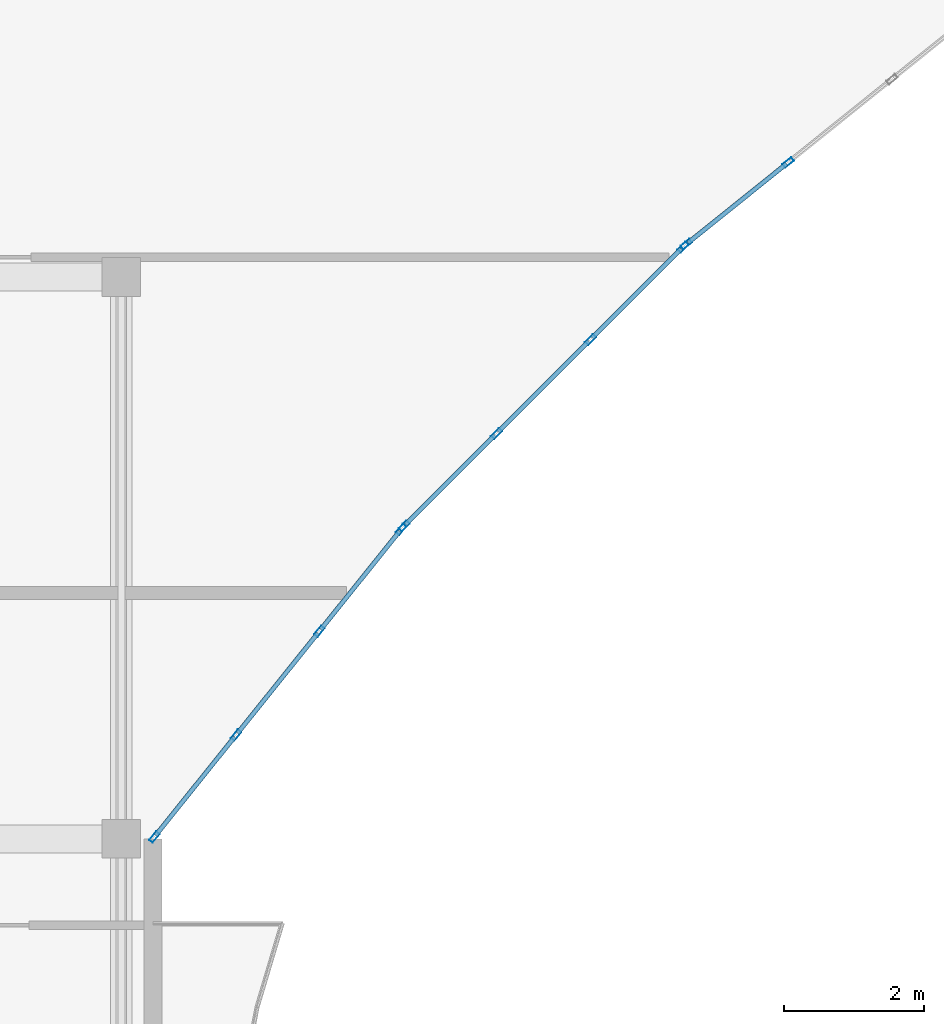
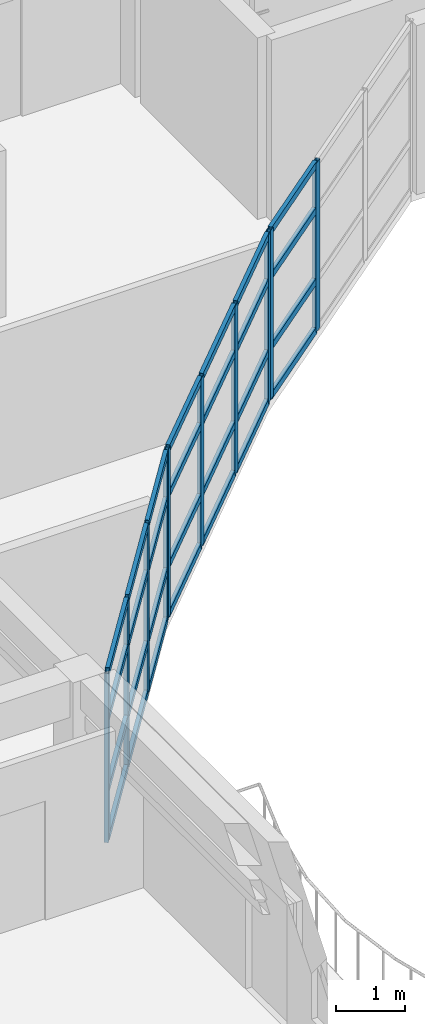
# One storey, part 13 of 54: 38 members, 3 elements without a shape of their own.
"""IFC4 building model written with IfcOpenShell, lengths in metres."""

from ifc_helpers import new_model, si_unit, direction, frame, origin, origin_2d, place, context, subcontext, project, spatial, hollow_rectangle, extrude, material, layer, layer_set, material_profile, profile_set, type_object, element, aggregate, save


model = new_model("IFC4")

# Units and contexts
model_context = context("Model", 3, precision=1e-05, world=origin(), true_north=direction((0.0, 1.0)))
body_context = subcontext(model_context, "Body", "Model", "MODEL_VIEW")
ifc_project = project(units=[si_unit("LENGTHUNIT", "METRE"), si_unit("AREAUNIT", "SQUARE_METRE"), si_unit("VOLUMEUNIT", "CUBIC_METRE"), si_unit("PLANEANGLEUNIT", "RADIAN"), si_unit("MASSUNIT", "GRAM", prefix="KILO")], contexts=[model_context])

# Site, building, storey
site_placement = place(None, origin())
site = spatial("IfcSite", under=ifc_project, at=site_placement, CompositionType="ELEMENT")
building_placement = place(site_placement, origin())
building = spatial("IfcBuilding", under=site, at=building_placement, Name="Keldmere Railside Commons", CompositionType="ELEMENT")
storey_placement = place(building_placement, frame((0.0, 0.0, 26.56005859375)))
storey = spatial("IfcBuildingStorey", under=building, at=storey_placement, Name="L08", CompositionType="ELEMENT", Elevation=26.56005859375)

# Curtain wall, members
ifc_material = material(Name="Thermally Broken Aluminium", Category="aluminium")
ifc_layer_1 = layer(ifc_material, 0.159912109375, Name="Court Chord Wintergarden CW 4800x2850")
ifc_layer_set_1 = layer_set([ifc_layer_1], Name="Thermally Broken Aluminium")
curtain_wall_type_1 = type_object("IfcCurtainWallType", Name="Court Chord Wintergarden CW 4800x2850", PredefinedType="NOTDEFINED", material=ifc_layer_set_1)
curtain_wall_1_placement = place(storey_placement, origin())
curtain_wall_1 = element("IfcCurtainWall", 1, at=curtain_wall_1_placement, inside=storey, type_object=curtain_wall_type_1, Name="CW-12 CW-L08-133", PredefinedType="NOTDEFINED")
ifc_material_profile_1 = material_profile(ifc_material, hollow_rectangle(XDim=0.06494140625, YDim=0.159912109375, WallThickness=0.00390625, at=origin_2d()), Name="ALU-MULL-65x160")
ifc_profile_set_1 = profile_set([ifc_material_profile_1], Name="Thermally Broken Aluminium")
member_type_1 = type_object("IfcMemberType", Name="Unitised Curtain Wall Mullion 65x160", PredefinedType="MULLION", material=ifc_profile_set_1)
member_1_placement = place(storey_placement, frame((123.53369140625, 92.404541015625, 0.0), z_axis=(0.0, 0.0, 1.0), x_axis=(0.780009172323, -0.625768080915, 0.0)))
member_1 = element("IfcMember", 2, at=member_1_placement, type_object=member_type_1, Name="CW-12 mullion 1", PredefinedType="MULLION", context=body_context, shape_type="SweptSolid", body=[
    extrude(hollow_rectangle(XDim=0.06494140625, YDim=0.159912109375, WallThickness=0.00390625, at=origin_2d()), origin(), (0.0, 0.0, 1.0), 2.97998046875),
])
member_2_placement = place(storey_placement, frame((122.369384765625, 90.953369140625, 0.0), z_axis=(0.0, 0.0, 1.0), x_axis=(0.780009172323, -0.625768080915, 0.0)))
member_2 = element("IfcMember", 3, at=member_2_placement, type_object=member_type_1, Name="CW-12 mullion 2", PredefinedType="MULLION", context=body_context, shape_type="SweptSolid", body=[
    extrude(hollow_rectangle(XDim=0.06494140625, YDim=0.159912109375, WallThickness=0.00390625, at=origin_2d()), origin(), (0.0, 0.0, 1.0), 2.97998046875),
])
member_3_placement = place(storey_placement, frame((121.1845703125, 89.4765625, 0.0), z_axis=(0.0, 0.0, 1.0), x_axis=(0.780009172323, -0.625768080915, 0.0)))
member_3 = element("IfcMember", 4, at=member_3_placement, type_object=member_type_1, Name="CW-12 mullion 3", PredefinedType="MULLION", context=body_context, shape_type="SweptSolid", body=[
    extrude(hollow_rectangle(XDim=0.06494140625, YDim=0.159912109375, WallThickness=0.00390625, at=origin_2d()), origin(), (0.0, 0.0, 1.0), 2.97998046875),
])
member_4_placement = place(storey_placement, frame((120.020263671875, 88.025390625, 0.0), z_axis=(0.0, 0.0, 1.0), x_axis=(0.780009172323, -0.625768080915, 0.0)))
member_4 = element("IfcMember", 5, at=member_4_placement, type_object=member_type_1, Name="CW-12 mullion 4", PredefinedType="MULLION", context=body_context, shape_type="SweptSolid", body=[
    extrude(hollow_rectangle(XDim=0.06494140625, YDim=0.159912109375, WallThickness=0.00390625, at=origin_2d()), origin(), (0.0, 0.0, 1.0), 2.97998046875),
])

ifc_layer_2 = layer(ifc_material, 0.159912109375, Name="Court Chord Wintergarden CW 5400x2850")
ifc_layer_set_2 = layer_set([ifc_layer_2], Name="Thermally Broken Aluminium")
curtain_wall_type_2 = type_object("IfcCurtainWallType", Name="Court Chord Wintergarden CW 5400x2850", PredefinedType="NOTDEFINED", material=ifc_layer_set_2)
curtain_wall_2_placement = place(storey_placement, origin())
curtain_wall_2 = element("IfcCurtainWall", 6, at=curtain_wall_2_placement, inside=storey, type_object=curtain_wall_type_2, Name="CW-13 CW-L08-134", PredefinedType="NOTDEFINED")
member_5_placement = place(storey_placement, frame((127.547119140625, 96.423095703125, 0.0), z_axis=(0.0, 0.0, 1.0), x_axis=(0.707106781187, -0.707106781187, 0.0)))
member_5 = element("IfcMember", 7, at=member_5_placement, type_object=member_type_1, Name="CW-13 mullion 1", PredefinedType="MULLION", context=body_context, shape_type="SweptSolid", body=[
    extrude(hollow_rectangle(XDim=0.06494140625, YDim=0.159912109375, WallThickness=0.00390625, at=origin_2d()), origin(), (0.0, 0.0, 1.0), 2.97998046875),
])
member_6_placement = place(storey_placement, frame((126.2314453125, 95.107421875, 0.0), z_axis=(0.0, 0.0, 1.0), x_axis=(0.707106781187, -0.707106781187, 0.0)))
member_6 = element("IfcMember", 8, at=member_6_placement, type_object=member_type_1, Name="CW-13 mullion 2", PredefinedType="MULLION", context=body_context, shape_type="SweptSolid", body=[
    extrude(hollow_rectangle(XDim=0.06494140625, YDim=0.159912109375, WallThickness=0.00390625, at=origin_2d()), origin(), (0.0, 0.0, 1.0), 2.97998046875),
])
member_7_placement = place(storey_placement, frame((124.892578125, 93.7685546875, 0.0), z_axis=(0.0, 0.0, 1.0), x_axis=(0.707106781187, -0.707106781187, 0.0)))
member_7 = element("IfcMember", 9, at=member_7_placement, type_object=member_type_1, Name="CW-13 mullion 3", PredefinedType="MULLION", context=body_context, shape_type="SweptSolid", body=[
    extrude(hollow_rectangle(XDim=0.06494140625, YDim=0.159912109375, WallThickness=0.00390625, at=origin_2d()), origin(), (0.0, 0.0, 1.0), 2.97998046875),
])
member_8_placement = place(storey_placement, frame((123.576904296875, 92.452880859375, 0.0), z_axis=(0.0, 0.0, 1.0), x_axis=(0.707106781187, -0.707106781187, 0.0)))
member_8 = element("IfcMember", 10, at=member_8_placement, type_object=member_type_1, Name="CW-13 mullion 4", PredefinedType="MULLION", context=body_context, shape_type="SweptSolid", body=[
    extrude(hollow_rectangle(XDim=0.06494140625, YDim=0.159912109375, WallThickness=0.00390625, at=origin_2d()), origin(), (0.0, 0.0, 1.0), 2.97998046875),
])

curtain_wall_3_placement = place(storey_placement, origin())
curtain_wall_3 = element("IfcCurtainWall", 11, at=curtain_wall_3_placement, inside=storey, type_object=curtain_wall_type_1, Name="CW-12 CW-L08-135", PredefinedType="NOTDEFINED")
member_9_placement = place(storey_placement, frame((129.046630859375, 97.630615234375, 0.0), z_axis=(0.0, 0.0, 1.0), x_axis=(0.625768080915, -0.780009172323, 0.0)))
member_9 = element("IfcMember", 12, at=member_9_placement, type_object=member_type_1, Name="CW-12 mullion 3", PredefinedType="MULLION", context=body_context, shape_type="SweptSolid", body=[
    extrude(hollow_rectangle(XDim=0.06494140625, YDim=0.159912109375, WallThickness=0.00390625, at=origin_2d()), origin(), (0.0, 0.0, 1.0), 2.97998046875),
])
member_10_placement = place(storey_placement, frame((127.595458984375, 96.46630859375, 0.0), z_axis=(0.0, 0.0, 1.0), x_axis=(0.625768080915, -0.780009172323, 0.0)))
member_10 = element("IfcMember", 13, at=member_10_placement, type_object=member_type_1, Name="CW-12 mullion 4", PredefinedType="MULLION", context=body_context, shape_type="SweptSolid", body=[
    extrude(hollow_rectangle(XDim=0.06494140625, YDim=0.159912109375, WallThickness=0.00390625, at=origin_2d()), origin(), (0.0, 0.0, 1.0), 2.97998046875),
])

# Member
ifc_material_profile_2 = material_profile(ifc_material, hollow_rectangle(XDim=0.06494140625, YDim=0.1201171875, WallThickness=0.00390625, at=origin_2d()), Name="ALU-TRAN-65x120")
ifc_profile_set_2 = profile_set([ifc_material_profile_2], Name="Thermally Broken Aluminium")
member_type_2 = type_object("IfcMemberType", Name="Unitised Curtain Wall Transom 65x120", PredefinedType="USERDEFINED", material=ifc_profile_set_2)
member_11_placement = place(storey_placement, frame((123.513427734375, 92.37939453125, 0.032470703125), z_axis=(-0.625805275091, -0.779979331565, 0.0), x_axis=(0.779979331565, -0.625805275091, 0.0)))
member_11 = element("IfcMember", 14, at=member_11_placement, type_object=member_type_2, Name="CW-12 transom 1.1", ObjectType="TRANSOM", PredefinedType="USERDEFINED", context=body_context, shape_type="SweptSolid", body=[
    extrude(hollow_rectangle(XDim=0.06494140625, YDim=0.1201171875, WallThickness=0.00390625, at=origin_2d()), origin(), (0.0, 0.0, 1.0), 1.795654296875),
])

member_12_placement = place(storey_placement, frame((123.513427734375, 92.37939453125, 0.89990234375), z_axis=(-0.625805275091, -0.779979331565, 0.0), x_axis=(0.779979331565, -0.625805275091, 0.0)))
member_12 = element("IfcMember", 15, at=member_12_placement, type_object=member_type_2, Name="CW-12 transom 1.2", ObjectType="TRANSOM", PredefinedType="USERDEFINED", context=body_context, shape_type="SweptSolid", body=[
    extrude(hollow_rectangle(XDim=0.06494140625, YDim=0.1201171875, WallThickness=0.00390625, at=origin_2d()), origin(), (0.0, 0.0, 1.0), 1.795654296875),
])

member_13_placement = place(storey_placement, frame((123.513427734375, 92.37939453125, 2.14990234375), z_axis=(-0.625805275091, -0.779979331565, 0.0), x_axis=(0.779979331565, -0.625805275091, 0.0)))
member_13 = element("IfcMember", 16, at=member_13_placement, type_object=member_type_2, Name="CW-12 transom 1.3", ObjectType="TRANSOM", PredefinedType="USERDEFINED", context=body_context, shape_type="SweptSolid", body=[
    extrude(hollow_rectangle(XDim=0.06494140625, YDim=0.1201171875, WallThickness=0.00390625, at=origin_2d()), origin(), (0.0, 0.0, 1.0), 1.795654296875),
])

member_14_placement = place(storey_placement, frame((123.513427734375, 92.37939453125, 2.947509765625), z_axis=(-0.625805275091, -0.779979331565, 0.0), x_axis=(0.779979331565, -0.625805275091, 0.0)))
member_14 = element("IfcMember", 17, at=member_14_placement, type_object=member_type_2, Name="CW-12 transom 1.4", ObjectType="TRANSOM", PredefinedType="USERDEFINED", context=body_context, shape_type="SweptSolid", body=[
    extrude(hollow_rectangle(XDim=0.06494140625, YDim=0.1201171875, WallThickness=0.00390625, at=origin_2d()), origin(), (0.0, 0.0, 1.0), 1.795654296875),
])

member_15_placement = place(storey_placement, frame((122.348876953125, 90.927978515625, 0.032470703125), z_axis=(-0.625688033635, -0.78007338409, 0.0), x_axis=(0.78007338409, -0.625688033635, 0.0)))
member_15 = element("IfcMember", 18, at=member_15_placement, type_object=member_type_2, Name="CW-12 transom 2.1", ObjectType="TRANSOM", PredefinedType="USERDEFINED", context=body_context, shape_type="SweptSolid", body=[
    extrude(hollow_rectangle(XDim=0.06494140625, YDim=0.1201171875, WallThickness=0.00390625, at=origin_2d()), origin(), (0.0, 0.0, 1.0), 1.828125),
])

member_16_placement = place(storey_placement, frame((122.348876953125, 90.927978515625, 0.89990234375), z_axis=(-0.625688033635, -0.78007338409, 0.0), x_axis=(0.78007338409, -0.625688033635, 0.0)))
member_16 = element("IfcMember", 19, at=member_16_placement, type_object=member_type_2, Name="CW-12 transom 2.2", ObjectType="TRANSOM", PredefinedType="USERDEFINED", context=body_context, shape_type="SweptSolid", body=[
    extrude(hollow_rectangle(XDim=0.06494140625, YDim=0.1201171875, WallThickness=0.00390625, at=origin_2d()), origin(), (0.0, 0.0, 1.0), 1.828125),
])

member_17_placement = place(storey_placement, frame((122.348876953125, 90.927978515625, 2.14990234375), z_axis=(-0.625688033635, -0.78007338409, 0.0), x_axis=(0.78007338409, -0.625688033635, 0.0)))
member_17 = element("IfcMember", 20, at=member_17_placement, type_object=member_type_2, Name="CW-12 transom 2.3", ObjectType="TRANSOM", PredefinedType="USERDEFINED", context=body_context, shape_type="SweptSolid", body=[
    extrude(hollow_rectangle(XDim=0.06494140625, YDim=0.1201171875, WallThickness=0.00390625, at=origin_2d()), origin(), (0.0, 0.0, 1.0), 1.828125),
])

member_18_placement = place(storey_placement, frame((122.348876953125, 90.927978515625, 2.947509765625), z_axis=(-0.625688033635, -0.78007338409, 0.0), x_axis=(0.78007338409, -0.625688033635, 0.0)))
member_18 = element("IfcMember", 21, at=member_18_placement, type_object=member_type_2, Name="CW-12 transom 2.4", ObjectType="TRANSOM", PredefinedType="USERDEFINED", context=body_context, shape_type="SweptSolid", body=[
    extrude(hollow_rectangle(XDim=0.06494140625, YDim=0.1201171875, WallThickness=0.00390625, at=origin_2d()), origin(), (0.0, 0.0, 1.0), 1.828125),
])

member_19_placement = place(storey_placement, frame((121.164306640625, 89.451416015625, 0.032470703125), z_axis=(-0.625722553313, -0.780045694992, 0.0), x_axis=(0.780045694992, -0.625722553313, 0.0)))
member_19 = element("IfcMember", 22, at=member_19_placement, type_object=member_type_2, Name="CW-12 transom 3.1", ObjectType="TRANSOM", PredefinedType="USERDEFINED", context=body_context, shape_type="SweptSolid", body=[
    extrude(hollow_rectangle(XDim=0.06494140625, YDim=0.1201171875, WallThickness=0.00390625, at=origin_2d()), origin(), (0.0, 0.0, 1.0), 1.795654296875),
])

member_20_placement = place(storey_placement, frame((121.164306640625, 89.451416015625, 0.89990234375), z_axis=(-0.625722553313, -0.780045694992, 0.0), x_axis=(0.780045694992, -0.625722553313, 0.0)))
member_20 = element("IfcMember", 23, at=member_20_placement, type_object=member_type_2, Name="CW-12 transom 3.2", ObjectType="TRANSOM", PredefinedType="USERDEFINED", context=body_context, shape_type="SweptSolid", body=[
    extrude(hollow_rectangle(XDim=0.06494140625, YDim=0.1201171875, WallThickness=0.00390625, at=origin_2d()), origin(), (0.0, 0.0, 1.0), 1.795654296875),
])

member_21_placement = place(storey_placement, frame((121.164306640625, 89.451416015625, 2.14990234375), z_axis=(-0.625722553313, -0.780045694992, 0.0), x_axis=(0.780045694992, -0.625722553313, 0.0)))
member_21 = element("IfcMember", 24, at=member_21_placement, type_object=member_type_2, Name="CW-12 transom 3.3", ObjectType="TRANSOM", PredefinedType="USERDEFINED", context=body_context, shape_type="SweptSolid", body=[
    extrude(hollow_rectangle(XDim=0.06494140625, YDim=0.1201171875, WallThickness=0.00390625, at=origin_2d()), origin(), (0.0, 0.0, 1.0), 1.795654296875),
])

member_22_placement = place(storey_placement, frame((121.164306640625, 89.451416015625, 2.947509765625), z_axis=(-0.625722553313, -0.780045694992, 0.0), x_axis=(0.780045694992, -0.625722553313, 0.0)))
member_22 = element("IfcMember", 25, at=member_22_placement, type_object=member_type_2, Name="CW-12 transom 3.4", ObjectType="TRANSOM", PredefinedType="USERDEFINED", context=body_context, shape_type="SweptSolid", body=[
    extrude(hollow_rectangle(XDim=0.06494140625, YDim=0.1201171875, WallThickness=0.00390625, at=origin_2d()), origin(), (0.0, 0.0, 1.0), 1.795654296875),
])

aggregate(curtain_wall_1, [member_1, member_2, member_3, member_4, member_11, member_12, member_13, member_14, member_15, member_16, member_17, member_18, member_19, member_20, member_21, member_22])

member_23_placement = place(storey_placement, frame((127.52392578125, 96.400146484375, 0.032470703125), z_axis=(-0.707038793419, -0.707174762418, 0.0), x_axis=(0.707174762418, -0.707038793419, 0.0)))
member_23 = element("IfcMember", 26, at=member_23_placement, type_object=member_type_2, Name="CW-13 transom 1.1", ObjectType="TRANSOM", PredefinedType="USERDEFINED", context=body_context, shape_type="SweptSolid", body=[
    extrude(hollow_rectangle(XDim=0.06494140625, YDim=0.1201171875, WallThickness=0.00390625, at=origin_2d()), origin(), (0.0, 0.0, 1.0), 1.795654296875),
])

member_24_placement = place(storey_placement, frame((127.52392578125, 96.400146484375, 0.89990234375), z_axis=(-0.707038793419, -0.707174762418, 0.0), x_axis=(0.707174762418, -0.707038793419, 0.0)))
member_24 = element("IfcMember", 27, at=member_24_placement, type_object=member_type_2, Name="CW-13 transom 1.2", ObjectType="TRANSOM", PredefinedType="USERDEFINED", context=body_context, shape_type="SweptSolid", body=[
    extrude(hollow_rectangle(XDim=0.06494140625, YDim=0.1201171875, WallThickness=0.00390625, at=origin_2d()), origin(), (0.0, 0.0, 1.0), 1.795654296875),
])

member_25_placement = place(storey_placement, frame((127.52392578125, 96.400146484375, 2.14990234375), z_axis=(-0.707038793419, -0.707174762418, 0.0), x_axis=(0.707174762418, -0.707038793419, 0.0)))
member_25 = element("IfcMember", 28, at=member_25_placement, type_object=member_type_2, Name="CW-13 transom 1.3", ObjectType="TRANSOM", PredefinedType="USERDEFINED", context=body_context, shape_type="SweptSolid", body=[
    extrude(hollow_rectangle(XDim=0.06494140625, YDim=0.1201171875, WallThickness=0.00390625, at=origin_2d()), origin(), (0.0, 0.0, 1.0), 1.795654296875),
])

member_26_placement = place(storey_placement, frame((127.52392578125, 96.400146484375, 2.947509765625), z_axis=(-0.707038793419, -0.707174762418, 0.0), x_axis=(0.707174762418, -0.707038793419, 0.0)))
member_26 = element("IfcMember", 29, at=member_26_placement, type_object=member_type_2, Name="CW-13 transom 1.4", ObjectType="TRANSOM", PredefinedType="USERDEFINED", context=body_context, shape_type="SweptSolid", body=[
    extrude(hollow_rectangle(XDim=0.06494140625, YDim=0.1201171875, WallThickness=0.00390625, at=origin_2d()), origin(), (0.0, 0.0, 1.0), 1.795654296875),
])

member_27_placement = place(storey_placement, frame((126.208251953125, 95.08447265625, 0.032470703125), z_axis=(-0.707106781187, -0.707106781187, 0.0), x_axis=(0.707106781187, -0.707106781187, 0.0)))
member_27 = element("IfcMember", 30, at=member_27_placement, type_object=member_type_2, Name="CW-13 transom 2.1", ObjectType="TRANSOM", PredefinedType="USERDEFINED", context=body_context, shape_type="SweptSolid", body=[
    extrude(hollow_rectangle(XDim=0.06494140625, YDim=0.1201171875, WallThickness=0.00390625, at=origin_2d()), origin(), (0.0, 0.0, 1.0), 1.828125),
])

member_28_placement = place(storey_placement, frame((126.208251953125, 95.08447265625, 0.89990234375), z_axis=(-0.707106781187, -0.707106781187, 0.0), x_axis=(0.707106781187, -0.707106781187, 0.0)))
member_28 = element("IfcMember", 31, at=member_28_placement, type_object=member_type_2, Name="CW-13 transom 2.2", ObjectType="TRANSOM", PredefinedType="USERDEFINED", context=body_context, shape_type="SweptSolid", body=[
    extrude(hollow_rectangle(XDim=0.06494140625, YDim=0.1201171875, WallThickness=0.00390625, at=origin_2d()), origin(), (0.0, 0.0, 1.0), 1.828125),
])

member_29_placement = place(storey_placement, frame((126.208251953125, 95.08447265625, 2.14990234375), z_axis=(-0.707106781187, -0.707106781187, 0.0), x_axis=(0.707106781187, -0.707106781187, 0.0)))
member_29 = element("IfcMember", 32, at=member_29_placement, type_object=member_type_2, Name="CW-13 transom 2.3", ObjectType="TRANSOM", PredefinedType="USERDEFINED", context=body_context, shape_type="SweptSolid", body=[
    extrude(hollow_rectangle(XDim=0.06494140625, YDim=0.1201171875, WallThickness=0.00390625, at=origin_2d()), origin(), (0.0, 0.0, 1.0), 1.828125),
])

member_30_placement = place(storey_placement, frame((126.208251953125, 95.08447265625, 2.947509765625), z_axis=(-0.707106781187, -0.707106781187, 0.0), x_axis=(0.707106781187, -0.707106781187, 0.0)))
member_30 = element("IfcMember", 33, at=member_30_placement, type_object=member_type_2, Name="CW-13 transom 2.4", ObjectType="TRANSOM", PredefinedType="USERDEFINED", context=body_context, shape_type="SweptSolid", body=[
    extrude(hollow_rectangle(XDim=0.06494140625, YDim=0.1201171875, WallThickness=0.00390625, at=origin_2d()), origin(), (0.0, 0.0, 1.0), 1.828125),
])

member_31_placement = place(storey_placement, frame((124.86962890625, 93.74560546875, 0.032470703125), z_axis=(-0.707174762418, -0.707038793419, 0.0), x_axis=(0.707038793419, -0.707174762418, 0.0)))
member_31 = element("IfcMember", 34, at=member_31_placement, type_object=member_type_2, Name="CW-13 transom 3.1", ObjectType="TRANSOM", PredefinedType="USERDEFINED", context=body_context, shape_type="SweptSolid", body=[
    extrude(hollow_rectangle(XDim=0.06494140625, YDim=0.1201171875, WallThickness=0.00390625, at=origin_2d()), origin(), (0.0, 0.0, 1.0), 1.795654296875),
])

member_32_placement = place(storey_placement, frame((124.86962890625, 93.74560546875, 0.89990234375), z_axis=(-0.707174762418, -0.707038793419, 0.0), x_axis=(0.707038793419, -0.707174762418, 0.0)))
member_32 = element("IfcMember", 35, at=member_32_placement, type_object=member_type_2, Name="CW-13 transom 3.2", ObjectType="TRANSOM", PredefinedType="USERDEFINED", context=body_context, shape_type="SweptSolid", body=[
    extrude(hollow_rectangle(XDim=0.06494140625, YDim=0.1201171875, WallThickness=0.00390625, at=origin_2d()), origin(), (0.0, 0.0, 1.0), 1.795654296875),
])

member_33_placement = place(storey_placement, frame((124.86962890625, 93.74560546875, 2.14990234375), z_axis=(-0.707174762418, -0.707038793419, 0.0), x_axis=(0.707038793419, -0.707174762418, 0.0)))
member_33 = element("IfcMember", 36, at=member_33_placement, type_object=member_type_2, Name="CW-13 transom 3.3", ObjectType="TRANSOM", PredefinedType="USERDEFINED", context=body_context, shape_type="SweptSolid", body=[
    extrude(hollow_rectangle(XDim=0.06494140625, YDim=0.1201171875, WallThickness=0.00390625, at=origin_2d()), origin(), (0.0, 0.0, 1.0), 1.795654296875),
])

member_34_placement = place(storey_placement, frame((124.86962890625, 93.74560546875, 2.947509765625), z_axis=(-0.707174762418, -0.707038793419, 0.0), x_axis=(0.707038793419, -0.707174762418, 0.0)))
member_34 = element("IfcMember", 37, at=member_34_placement, type_object=member_type_2, Name="CW-13 transom 3.4", ObjectType="TRANSOM", PredefinedType="USERDEFINED", context=body_context, shape_type="SweptSolid", body=[
    extrude(hollow_rectangle(XDim=0.06494140625, YDim=0.1201171875, WallThickness=0.00390625, at=origin_2d()), origin(), (0.0, 0.0, 1.0), 1.795654296875),
])

aggregate(curtain_wall_2, [member_5, member_6, member_7, member_8, member_23, member_24, member_25, member_26, member_27, member_28, member_29, member_30, member_31, member_32, member_33, member_34])

member_35_placement = place(storey_placement, frame((129.021240234375, 97.6103515625, 0.032470703125), z_axis=(-0.779979331565, -0.625805275091, 0.0), x_axis=(0.625805275091, -0.779979331565, 0.0)))
member_35 = element("IfcMember", 38, at=member_35_placement, type_object=member_type_2, Name="CW-12 transom 3.1", ObjectType="TRANSOM", PredefinedType="USERDEFINED", context=body_context, shape_type="SweptSolid", body=[
    extrude(hollow_rectangle(XDim=0.06494140625, YDim=0.1201171875, WallThickness=0.00390625, at=origin_2d()), origin(), (0.0, 0.0, 1.0), 1.795654296875),
])

member_36_placement = place(storey_placement, frame((129.021240234375, 97.6103515625, 0.89990234375), z_axis=(-0.779979331565, -0.625805275091, 0.0), x_axis=(0.625805275091, -0.779979331565, 0.0)))
member_36 = element("IfcMember", 39, at=member_36_placement, type_object=member_type_2, Name="CW-12 transom 3.2", ObjectType="TRANSOM", PredefinedType="USERDEFINED", context=body_context, shape_type="SweptSolid", body=[
    extrude(hollow_rectangle(XDim=0.06494140625, YDim=0.1201171875, WallThickness=0.00390625, at=origin_2d()), origin(), (0.0, 0.0, 1.0), 1.795654296875),
])

member_37_placement = place(storey_placement, frame((129.021240234375, 97.6103515625, 2.14990234375), z_axis=(-0.779979331565, -0.625805275091, 0.0), x_axis=(0.625805275091, -0.779979331565, 0.0)))
member_37 = element("IfcMember", 40, at=member_37_placement, type_object=member_type_2, Name="CW-12 transom 3.3", ObjectType="TRANSOM", PredefinedType="USERDEFINED", context=body_context, shape_type="SweptSolid", body=[
    extrude(hollow_rectangle(XDim=0.06494140625, YDim=0.1201171875, WallThickness=0.00390625, at=origin_2d()), origin(), (0.0, 0.0, 1.0), 1.795654296875),
])

member_38_placement = place(storey_placement, frame((129.021240234375, 97.6103515625, 2.947509765625), z_axis=(-0.779979331565, -0.625805275091, 0.0), x_axis=(0.625805275091, -0.779979331565, 0.0)))
member_38 = element("IfcMember", 41, at=member_38_placement, type_object=member_type_2, Name="CW-12 transom 3.4", ObjectType="TRANSOM", PredefinedType="USERDEFINED", context=body_context, shape_type="SweptSolid", body=[
    extrude(hollow_rectangle(XDim=0.06494140625, YDim=0.1201171875, WallThickness=0.00390625, at=origin_2d()), origin(), (0.0, 0.0, 1.0), 1.795654296875),
])

aggregate(curtain_wall_3, [member_9, member_10, member_35, member_36, member_37, member_38])

save(model, "model.ifc")
